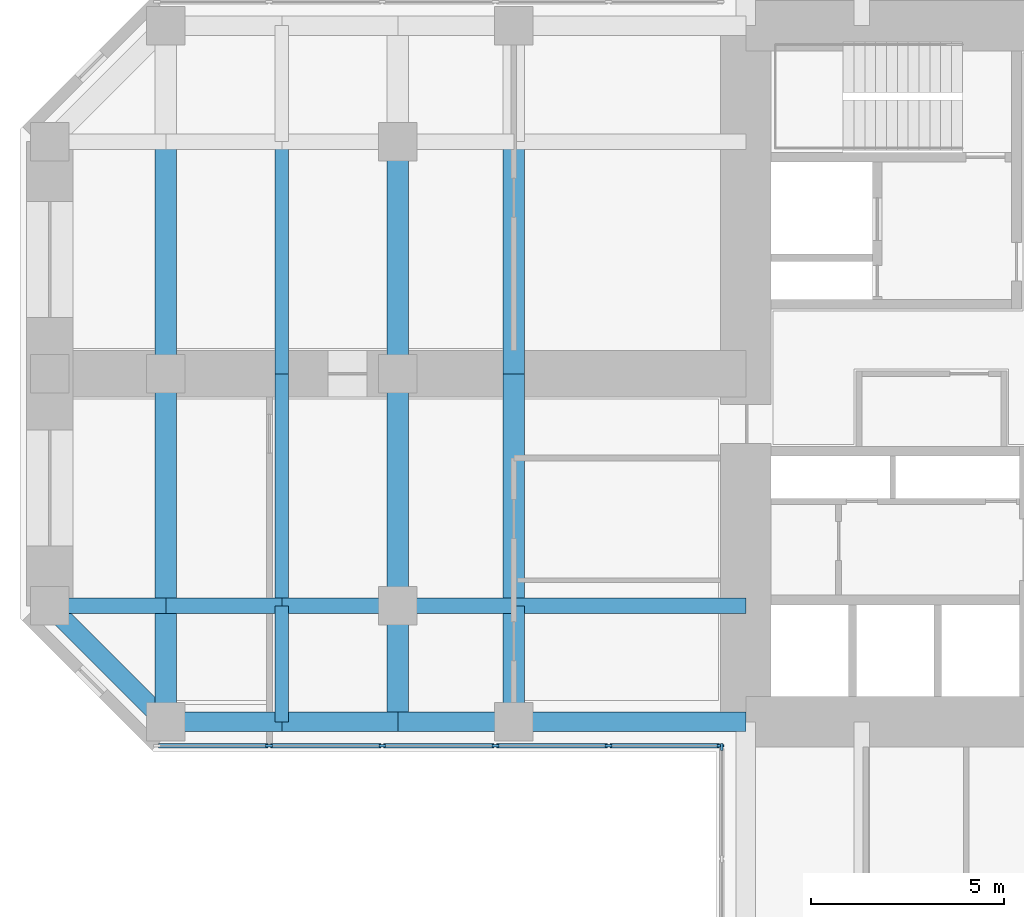
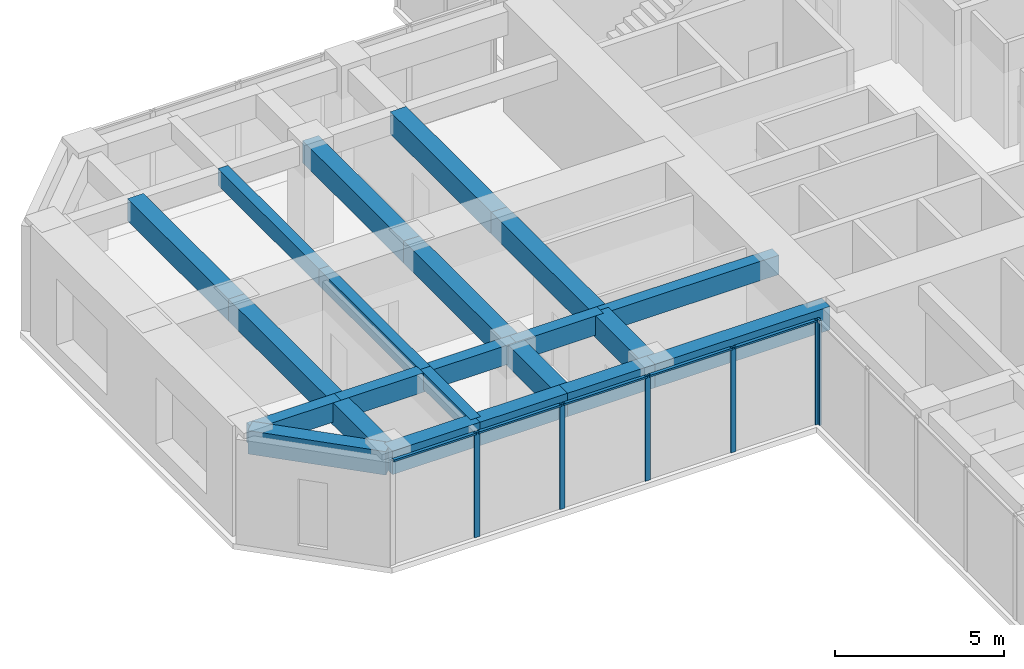
# One storey, part 3 of 12: 22 beams, 11 members, 2 elements without a shape of their own.
"""IFC4 building model written with IfcOpenShell, lengths in metres."""

from ifc_helpers import new_model, si_unit, direction, frame, origin, origin_2d, place, context, subcontext, project, spatial, rectangle, extrude, material, material_profile, profile_set, type_object, element, aggregate, save


model = new_model("IFC4")

# Units and contexts
model_context = context("Model", 3, precision=1e-05, world=origin(), true_north=direction((0.0, 1.0)))
body_context = subcontext(model_context, "Body", "Model", "MODEL_VIEW")
ifc_project = project(units=[si_unit("LENGTHUNIT", "METRE"), si_unit("AREAUNIT", "SQUARE_METRE"), si_unit("VOLUMEUNIT", "CUBIC_METRE"), si_unit("PLANEANGLEUNIT", "RADIAN"), si_unit("MASSUNIT", "GRAM", prefix="KILO")], contexts=[model_context])

# Site, building, storey
site_placement = place(None, origin())
site = spatial("IfcSite", under=ifc_project, at=site_placement, CompositionType="ELEMENT")
building_placement = place(site_placement, origin())
building = spatial("IfcBuilding", under=site, at=building_placement, Name="Torre Cruceta", CompositionType="ELEMENT")
storey_placement = place(building_placement, frame((0.0, 0.0, 136.5)))
storey = spatial("IfcBuildingStorey", under=building, at=storey_placement, Name="L33", CompositionType="ELEMENT", Elevation=136.5)

# Beams
ifc_material_1 = material(Name="Concrete G60 (fck 60 MPa)", Category="concrete")
ifc_material_profile_1 = material_profile(ifc_material_1, rectangle(XDim=0.39990234375, YDim=0.699951171875, at=origin_2d()), Name="RC 400X700")
ifc_profile_set_1 = profile_set([ifc_material_profile_1], Name="Concrete G60 (fck 60 MPa)")
beam_type_1 = type_object("IfcBeamType", Name="COLUMN LINE BEAM RC 400X700", PredefinedType="BEAM", material=ifc_profile_set_1)
beam_1_placement = place(storey_placement, frame((-9.0, -6.0, 3.449951171875), z_axis=(-1.0, 0.0, 0.0), x_axis=(0.0, -1.0, 0.0)))
element("IfcBeam", 1, at=beam_1_placement, inside=storey, type_object=beam_type_1, Name="LB5 L33 W col+ 1", PredefinedType="BEAM", context=body_context, shape_type="SweptSolid", body=[
    extrude(rectangle(XDim=0.39990234375, YDim=0.699951171875, at=origin_2d()), origin(), (0.0, 0.0, 1.0), 6.0),
])
for number, where, z_axis, x_axis, name in (
    (2, (-15.0, -6.0, 3.449951171875), (-1.0, 0.0, 0.0), (0.0, -1.0, 0.0), "LB5 L33 W col+ 2"),
    (3, (-18.0, -6.0, 3.449951171875), (-1.0, 0.0, 0.0), (0.0, -1.0, 0.0), "LB5 L33 W col+ 3"),
    (4, (-21.0, -6.0, 3.449951171875), (-1.0, 0.0, 0.0), (0.0, -1.0, 0.0), "LB5 L33 W col+ 4"),
    (5, (-24.0, -6.0, 3.449951171875), (-1.0, 0.0, 0.0), (0.0, -1.0, 0.0), "LB5 L33 W col+ 5"),
):
    element("IfcBeam", number, at=place(storey_placement, frame(where, z_axis=z_axis, x_axis=x_axis)), inside=storey, type_object=beam_type_1, Name=name, PredefinedType="BEAM", context=body_context, shape_type="SweptSolid", body=[
        extrude(rectangle(XDim=0.39990234375, YDim=0.699951171875, at=origin_2d()), origin(), (0.0, 0.0, 1.0), 3.0),
    ])
ifc_material_2 = material(Name="Concrete G60 (fck 60 MPa)", Category="concrete")
ifc_material_profile_2 = material_profile(ifc_material_2, rectangle(XDim=0.550048828125, YDim=0.800048828125, at=origin_2d()), Name="RC 550X800")
ifc_profile_set_2 = profile_set([ifc_material_profile_2], Name="Concrete G60 (fck 60 MPa)")
beam_type_2 = type_object("IfcBeamType", Name="CROSS BEAM RC 550X800", PredefinedType="BEAM", material=ifc_profile_set_2)
for number, where, z_axis, x_axis, name in (
    (6, (-15.0, 6.0, 3.39990234375), (0.0, -1.0, 0.0), (1.0, 0.0, 0.0), "GB5 L33 W cross15 2"),
    (7, (-15.0, 0.0, 3.39990234375), (0.0, -1.0, 0.0), (1.0, 0.0, 0.0), "GB5 L33 W cross15 3"),
):
    element("IfcBeam", number, at=place(storey_placement, frame(where, z_axis=z_axis, x_axis=x_axis)), inside=storey, type_object=beam_type_2, Name=name, PredefinedType="BEAM", context=body_context, shape_type="SweptSolid", body=[
        extrude(rectangle(XDim=0.550048828125, YDim=0.800048828125, at=origin_2d()), origin(), (0.0, 0.0, 1.0), 6.0),
    ])
beam_2_placement = place(storey_placement, frame((-15.0, -6.0, 3.39990234375), z_axis=(0.0, -1.0, 0.0), x_axis=(1.0, 0.0, 0.0)))
element("IfcBeam", 8, at=beam_2_placement, inside=storey, type_object=beam_type_2, Name="GB5 L33 W cross15 4", PredefinedType="BEAM", context=body_context, shape_type="SweptSolid", body=[
    extrude(rectangle(XDim=0.550048828125, YDim=0.800048828125, at=origin_2d()), origin(), (0.0, 0.0, 1.0), 3.0),
])
for number, where, z_axis, x_axis, name in (
    (9, (-18.0, 6.0, 3.39990234375), (0.0, -1.0, 0.0), (1.0, 0.0, 0.0), "GB5 L33 W cross18 2"),
    (10, (-18.0, 0.0, 3.39990234375), (0.0, -1.0, 0.0), (1.0, 0.0, 0.0), "GB5 L33 W cross18 3"),
):
    element("IfcBeam", number, at=place(storey_placement, frame(where, z_axis=z_axis, x_axis=x_axis)), inside=storey, type_object=beam_type_2, Name=name, PredefinedType="BEAM", context=body_context, shape_type="SweptSolid", body=[
        extrude(rectangle(XDim=0.550048828125, YDim=0.800048828125, at=origin_2d()), origin(), (0.0, 0.0, 1.0), 6.0),
    ])
beam_3_placement = place(storey_placement, frame((-18.0, -6.0, 3.39990234375), z_axis=(0.0, -1.0, 0.0), x_axis=(1.0, 0.0, 0.0)))
element("IfcBeam", 11, at=beam_3_placement, inside=storey, type_object=beam_type_2, Name="GB5 L33 W cross18 4", PredefinedType="BEAM", context=body_context, shape_type="SweptSolid", body=[
    extrude(rectangle(XDim=0.550048828125, YDim=0.800048828125, at=origin_2d()), origin(), (0.0, 0.0, 1.0), 3.0),
])
for number, where, z_axis, x_axis, name in (
    (12, (-24.0, 6.0, 3.39990234375), (0.0, -1.0, 0.0), (1.0, 0.0, 0.0), "GB5 L33 W cross24 2"),
    (13, (-24.0, 0.0, 3.39990234375), (0.0, -1.0, 0.0), (1.0, 0.0, 0.0), "GB5 L33 W cross24 3"),
):
    element("IfcBeam", number, at=place(storey_placement, frame(where, z_axis=z_axis, x_axis=x_axis)), inside=storey, type_object=beam_type_2, Name=name, PredefinedType="BEAM", context=body_context, shape_type="SweptSolid", body=[
        extrude(rectangle(XDim=0.550048828125, YDim=0.800048828125, at=origin_2d()), origin(), (0.0, 0.0, 1.0), 6.0),
    ])
beam_4_placement = place(storey_placement, frame((-24.0, -6.0, 3.39990234375), z_axis=(0.0, -1.0, 0.0), x_axis=(1.0, 0.0, 0.0)))
element("IfcBeam", 14, at=beam_4_placement, inside=storey, type_object=beam_type_2, Name="GB5 L33 W cross24 4", PredefinedType="BEAM", context=body_context, shape_type="SweptSolid", body=[
    extrude(rectangle(XDim=0.550048828125, YDim=0.800048828125, at=origin_2d()), origin(), (0.0, 0.0, 1.0), 3.0),
])

# Curtain wall, members
ifc_material_3 = material(Name="Aluminium unitised curtain wall", Category="aluminium")
curtain_wall_type = type_object("IfcCurtainWallType", Name="CURTAIN WALL CW-B OFFICE MID RISE", PredefinedType="USERDEFINED", material=ifc_material_3)
curtain_wall_1_placement = place(storey_placement, origin())
curtain_wall_1 = element("IfcCurtainWall", 15, at=curtain_wall_1_placement, inside=storey, type_object=curtain_wall_type, Name="CW-B L33 W side 14", ObjectType="UNITISED", PredefinedType="USERDEFINED")
ifc_material_4 = material(Name="Aluminium mullion", Category="aluminium")
ifc_material_profile_3 = material_profile(ifc_material_4, rectangle(XDim=0.06494140625, YDim=0.179931640625, at=origin_2d()), Name="AL 65X180")
ifc_profile_set_3 = profile_set([ifc_material_profile_3], Name="Aluminium mullion")
member_type_1 = type_object("IfcMemberType", Name="CW-B MULLION 65X180", PredefinedType="MULLION", material=ifc_profile_set_3)
member_1_placement = place(storey_placement, frame((-21.329345703125, -9.6201171875, 0.0), z_axis=(0.0, 0.0, 1.0), x_axis=(0.0, 1.0, 0.0)))
member_1 = element("IfcMember", 16, at=member_1_placement, type_object=member_type_1, Name="CW-B mullion 2", PredefinedType="MULLION", context=body_context, shape_type="SweptSolid", body=[
    extrude(rectangle(XDim=0.06494140625, YDim=0.179931640625, at=origin_2d()), origin(), (0.0, 0.0, 1.0), 3.800048828125),
])
member_2_placement = place(storey_placement, frame((-18.402099609375, -9.6201171875, 0.0), z_axis=(0.0, 0.0, 1.0), x_axis=(0.0, 1.0, 0.0)))
member_2 = element("IfcMember", 17, at=member_2_placement, type_object=member_type_1, Name="CW-B mullion 3", PredefinedType="MULLION", context=body_context, shape_type="SweptSolid", body=[
    extrude(rectangle(XDim=0.06494140625, YDim=0.179931640625, at=origin_2d()), origin(), (0.0, 0.0, 1.0), 3.800048828125),
])
member_3_placement = place(storey_placement, frame((-15.474609375, -9.6201171875, 0.0), z_axis=(0.0, 0.0, 1.0), x_axis=(0.0, 1.0, 0.0)))
member_3 = element("IfcMember", 18, at=member_3_placement, type_object=member_type_1, Name="CW-B mullion 4", PredefinedType="MULLION", context=body_context, shape_type="SweptSolid", body=[
    extrude(rectangle(XDim=0.06494140625, YDim=0.179931640625, at=origin_2d()), origin(), (0.0, 0.0, 1.0), 3.800048828125),
])
member_4_placement = place(storey_placement, frame((-12.54736328125, -9.6201171875, 0.0), z_axis=(0.0, 0.0, 1.0), x_axis=(0.0, 1.0, 0.0)))
member_4 = element("IfcMember", 19, at=member_4_placement, type_object=member_type_1, Name="CW-B mullion 5", PredefinedType="MULLION", context=body_context, shape_type="SweptSolid", body=[
    extrude(rectangle(XDim=0.06494140625, YDim=0.179931640625, at=origin_2d()), origin(), (0.0, 0.0, 1.0), 3.800048828125),
])
member_5_placement = place(storey_placement, frame((-9.652587890625, -9.6201171875, 0.0), z_axis=(0.0, 0.0, 1.0), x_axis=(0.0, 1.0, 0.0)))
member_5 = element("IfcMember", 20, at=member_5_placement, type_object=member_type_1, Name="CW-B mullion 6", PredefinedType="MULLION", context=body_context, shape_type="SweptSolid", body=[
    extrude(rectangle(XDim=0.06494140625, YDim=0.179931640625, at=origin_2d()), origin(), (0.0, 0.0, 1.0), 3.800048828125),
])

# Curtain wall, member
curtain_wall_2_placement = place(storey_placement, origin())
curtain_wall_2 = element("IfcCurtainWall", 21, at=curtain_wall_2_placement, inside=storey, type_object=curtain_wall_type, Name="CW-B L33 S side 15", ObjectType="UNITISED", PredefinedType="USERDEFINED")
member_6_placement = place(storey_placement, frame((-9.6201171875, -9.652587890625, 0.0), z_axis=(0.0, 0.0, 1.0), x_axis=(1.0, 0.0, 0.0)))
member_6 = element("IfcMember", 22, at=member_6_placement, type_object=member_type_1, Name="CW-B mullion 1", PredefinedType="MULLION", context=body_context, shape_type="SweptSolid", body=[
    extrude(rectangle(XDim=0.06494140625, YDim=0.179931640625, at=origin_2d()), origin(), (0.0, 0.0, 1.0), 3.800048828125),
])
aggregate(curtain_wall_2, [member_6])

# Member
ifc_material_5 = material(Name="Aluminium transom", Category="aluminium")
ifc_material_profile_4 = material_profile(ifc_material_5, rectangle(XDim=0.110107421875, YDim=0.06494140625, at=origin_2d()), Name="AL 110X65")
ifc_profile_set_4 = profile_set([ifc_material_profile_4], Name="Aluminium transom")
member_type_2 = type_object("IfcMemberType", Name="CW-B TRANSOM 65X110", PredefinedType="USERDEFINED", material=ifc_profile_set_4)
member_7_placement = place(storey_placement, frame((-24.19189453125, -9.6201171875, 3.767578125), z_axis=(1.0, 0.0, 0.0), x_axis=(0.0, 1.0, 0.0)))
member_7 = element("IfcMember", 23, at=member_7_placement, type_object=member_type_2, Name="CW-B transom 1", ObjectType="TRANSOM", PredefinedType="USERDEFINED", context=body_context, shape_type="SweptSolid", body=[
    extrude(rectangle(XDim=0.110107421875, YDim=0.06494140625, at=origin_2d()), origin(), (0.0, 0.0, 1.0), 2.829833984375),
])

member_8_placement = place(storey_placement, frame((-21.296875, -9.6201171875, 3.767578125), z_axis=(1.0, 0.0, 0.0), x_axis=(0.0, 1.0, 0.0)))
member_8 = element("IfcMember", 24, at=member_8_placement, type_object=member_type_2, Name="CW-B transom 2", ObjectType="TRANSOM", PredefinedType="USERDEFINED", context=body_context, shape_type="SweptSolid", body=[
    extrude(rectangle(XDim=0.110107421875, YDim=0.06494140625, at=origin_2d()), origin(), (0.0, 0.0, 1.0), 2.8623046875),
])

member_9_placement = place(storey_placement, frame((-18.36962890625, -9.6201171875, 3.767578125), z_axis=(1.0, 0.0, 0.0), x_axis=(0.0, 1.0, 0.0)))
member_9 = element("IfcMember", 25, at=member_9_placement, type_object=member_type_2, Name="CW-B transom 3", ObjectType="TRANSOM", PredefinedType="USERDEFINED", context=body_context, shape_type="SweptSolid", body=[
    extrude(rectangle(XDim=0.110107421875, YDim=0.06494140625, at=origin_2d()), origin(), (0.0, 0.0, 1.0), 2.8623046875),
])

member_10_placement = place(storey_placement, frame((-15.442138671875, -9.6201171875, 3.767578125), z_axis=(1.0, 0.0, 0.0), x_axis=(0.0, 1.0, 0.0)))
member_10 = element("IfcMember", 26, at=member_10_placement, type_object=member_type_2, Name="CW-B transom 4", ObjectType="TRANSOM", PredefinedType="USERDEFINED", context=body_context, shape_type="SweptSolid", body=[
    extrude(rectangle(XDim=0.110107421875, YDim=0.06494140625, at=origin_2d()), origin(), (0.0, 0.0, 1.0), 2.8623046875),
])

member_11_placement = place(storey_placement, frame((-12.514892578125, -9.6201171875, 3.767578125), z_axis=(1.0, 0.0, 0.0), x_axis=(0.0, 1.0, 0.0)))
member_11 = element("IfcMember", 27, at=member_11_placement, type_object=member_type_2, Name="CW-B transom 5", ObjectType="TRANSOM", PredefinedType="USERDEFINED", context=body_context, shape_type="SweptSolid", body=[
    extrude(rectangle(XDim=0.110107421875, YDim=0.06494140625, at=origin_2d()), origin(), (0.0, 0.0, 1.0), 2.829833984375),
])

aggregate(curtain_wall_1, [member_1, member_2, member_3, member_4, member_5, member_7, member_8, member_9, member_10, member_11])

# Beams
ifc_material_6 = material(Name="Concrete G60 (fck 60 MPa)", Category="concrete")
ifc_material_profile_5 = material_profile(ifc_material_6, rectangle(XDim=0.35009765625, YDim=0.60009765625, at=origin_2d()), Name="RC 350X600")
ifc_profile_set_5 = profile_set([ifc_material_profile_5], Name="Concrete G60 (fck 60 MPa)")
beam_type_3 = type_object("IfcBeamType", Name="SECONDARY BEAM RC 350X600", PredefinedType="JOIST", material=ifc_profile_set_5)
for number, where, z_axis, x_axis, name in (
    (28, (-21.0, 6.0, 3.5), (0.0, -1.0, 0.0), (1.0, 0.0, 0.0), "JB5 L33 W sec21 2"),
    (29, (-21.0, 0.0, 3.5), (0.0, -1.0, 0.0), (1.0, 0.0, 0.0), "JB5 L33 W sec21 3"),
):
    element("IfcBeam", number, at=place(storey_placement, frame(where, z_axis=z_axis, x_axis=x_axis)), inside=storey, type_object=beam_type_3, Name=name, PredefinedType="JOIST", context=body_context, shape_type="SweptSolid", body=[
        extrude(rectangle(XDim=0.35009765625, YDim=0.60009765625, at=origin_2d()), origin(), (0.0, 0.0, 1.0), 6.0),
    ])
beam_5_placement = place(storey_placement, frame((-21.0, -6.0, 3.5), z_axis=(0.0, -1.0, 0.0), x_axis=(1.0, 0.0, 0.0)))
element("IfcBeam", 30, at=beam_5_placement, inside=storey, type_object=beam_type_3, Name="JB5 L33 W sec21 4", PredefinedType="JOIST", context=body_context, shape_type="SweptSolid", body=[
    extrude(rectangle(XDim=0.35009765625, YDim=0.60009765625, at=origin_2d()), origin(), (0.0, 0.0, 1.0), 3.0),
])
ifc_material_7 = material(Name="Concrete G60 (fck 60 MPa)", Category="concrete")
ifc_material_profile_6 = material_profile(ifc_material_7, rectangle(XDim=0.5, YDim=0.85009765625, at=origin_2d()), Name="RC 500X850")
ifc_profile_set_6 = profile_set([ifc_material_profile_6], Name="Concrete G60 (fck 60 MPa)")
beam_type_4 = type_object("IfcBeamType", Name="SPANDREL BEAM RC 500X850", PredefinedType="SPANDREL", material=ifc_profile_set_6)
beam_6_placement = place(storey_placement, frame((-9.0, -9.0, 3.375), z_axis=(-1.0, 0.0, 0.0), x_axis=(0.0, -1.0, 0.0)))
element("IfcBeam", 31, at=beam_6_placement, inside=storey, type_object=beam_type_4, Name="SB5 L33 W side+ 1", PredefinedType="SPANDREL", context=body_context, shape_type="SweptSolid", body=[
    extrude(rectangle(XDim=0.5, YDim=0.85009765625, at=origin_2d()), origin(), (0.0, 0.0, 1.0), 6.0),
])
for number, where, z_axis, x_axis, name in (
    (32, (-15.0, -9.0, 3.375), (-1.0, 0.0, 0.0), (0.0, -1.0, 0.0), "SB5 L33 W side+ 2"),
    (33, (-18.0, -9.0, 3.375), (-1.0, 0.0, 0.0), (0.0, -1.0, 0.0), "SB5 L33 W side+ 3"),
    (34, (-21.0, -9.0, 3.375), (-1.0, 0.0, 0.0), (0.0, -1.0, 0.0), "SB5 L33 W side+ 4"),
):
    element("IfcBeam", number, at=place(storey_placement, frame(where, z_axis=z_axis, x_axis=x_axis)), inside=storey, type_object=beam_type_4, Name=name, PredefinedType="SPANDREL", context=body_context, shape_type="SweptSolid", body=[
        extrude(rectangle(XDim=0.5, YDim=0.85009765625, at=origin_2d()), origin(), (0.0, 0.0, 1.0), 3.0),
    ])
beam_7_placement = place(storey_placement, frame((-24.0, -9.0, 3.375), z_axis=(-0.707106781187, 0.707106781187, 0.0), x_axis=(-0.707106781187, -0.707106781187, 0.0)))
element("IfcBeam", 35, at=beam_7_placement, inside=storey, type_object=beam_type_4, Name="SB5 L33 W side+ 5", PredefinedType="SPANDREL", context=body_context, shape_type="SweptSolid", body=[
    extrude(rectangle(XDim=0.5, YDim=0.85009765625, at=origin_2d()), origin(), (0.0, 0.0, 1.0), 4.24267578125),
])

save(model, "model.ifc")
